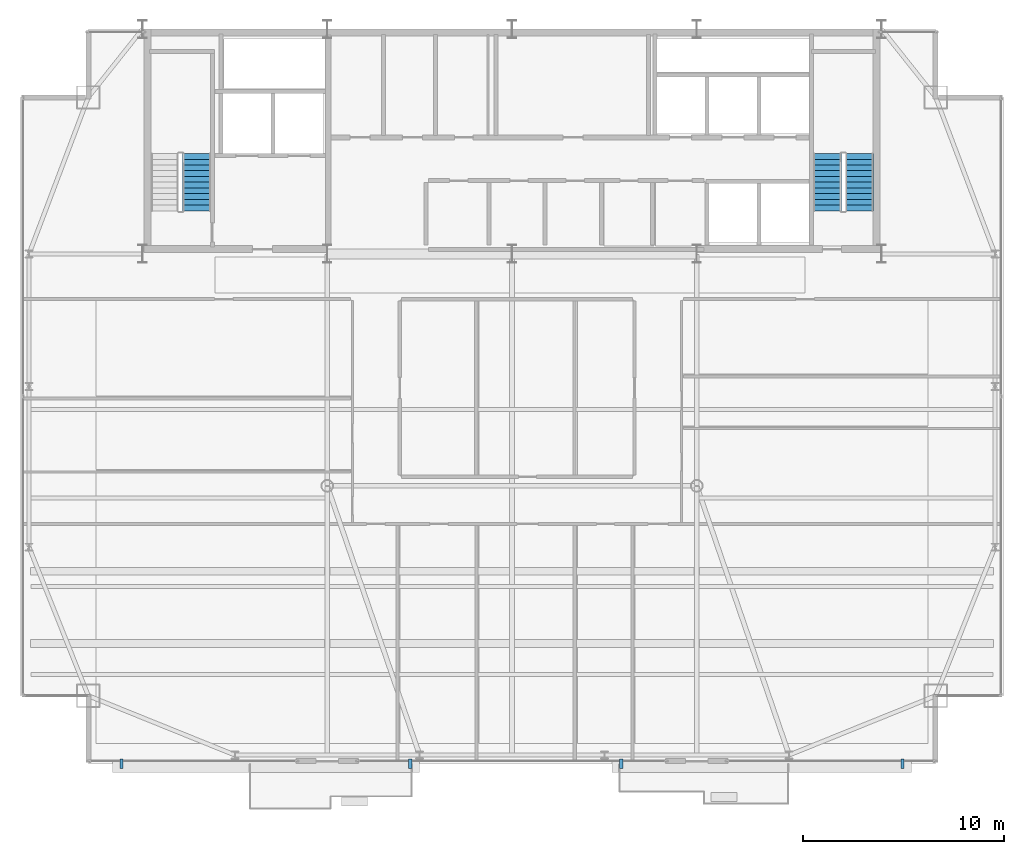
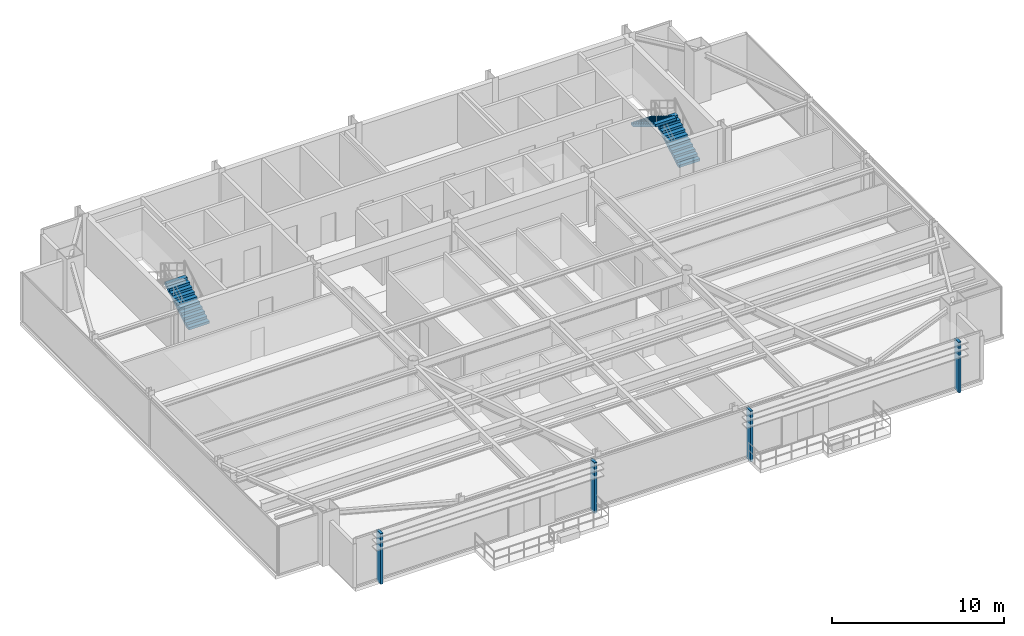
# One storey, part 26 of 28: 4 discrete accessories, 3 stair flights, 2 elements without a shape of their own.
"""IFC4 building model written with IfcOpenShell, lengths in metres."""

from ifc_helpers import new_model, si_unit, direction, frame, origin, origin_2d, place, context, subcontext, project, spatial, polyline, rectangle, outline, extrude, source, transform, mapped, material, layer, layer_set, type_object, type_shapes, element, aggregate, save


model = new_model("IFC4")

# Units and contexts
model_context = context("Model", 3, precision=1e-05, world=origin(), true_north=direction((0.0, 1.0)))
body_context = subcontext(model_context, "Body", "Model", "MODEL_VIEW")
ifc_project = project(units=[si_unit("LENGTHUNIT", "METRE"), si_unit("AREAUNIT", "SQUARE_METRE"), si_unit("VOLUMEUNIT", "CUBIC_METRE"), si_unit("PLANEANGLEUNIT", "RADIAN"), si_unit("MASSUNIT", "GRAM", prefix="KILO")], contexts=[model_context])

# Site, building, storey
site_placement = place(None, origin())
site = spatial("IfcSite", under=ifc_project, at=site_placement, CompositionType="ELEMENT")
building_placement = place(site_placement, origin())
building = spatial("IfcBuilding", under=site, at=building_placement, Name="Varnel Quay Broadcast Tower", CompositionType="ELEMENT")
storey_placement = place(building_placement, frame((0.0, 0.0, 230.199951171875)))
storey = spatial("IfcBuildingStorey", under=building, at=storey_placement, Name="L57", CompositionType="ELEMENT", Elevation=230.199951171875)

# Stair, stair flight
ifc_material_1 = material(Name="Precast Structural Concrete C40/50", Category="concrete")
stair_type_1 = type_object("IfcStairType", Name="Stair_ST-01", PredefinedType="HALF_TURN_STAIR", material=ifc_material_1)
stair_1_placement = place(storey_placement, origin())
stair_1 = element("IfcStair", 1, at=stair_1_placement, inside=storey, type_object=stair_type_1, Name="L57 West Core Exit Stair 1", PredefinedType="HALF_TURN_STAIR")
stair_flight_type_1 = type_object("IfcStairFlightType", Name="Flight_ST-01", PredefinedType="STRAIGHT", material=ifc_material_1)
stair_flight_1_placement = place(storey_placement, frame((18.300048828125, 37.75, 0.0), z_axis=(0.0, 0.0, 1.0), x_axis=(0.0, 1.0, 0.0)))
stair_flight_1 = element("IfcStairFlight", 2, at=stair_flight_1_placement, type_object=stair_flight_type_1, Name="ST-01 flight 1", NumberOfRisers=11, NumberOfTreads=10, PredefinedType="STRAIGHT", RiserHeight=0.172727273, TreadLength=0.285, context=body_context, shape_type="SweptSolid", body=[
    extrude(outline(polyline([(0.0, 0.0), (0.0, 0.172607421875), (0.284912109375, 0.172607421875), (0.284912109375, 0.345458984375), (0.570068359375, 0.345458984375), (0.570068359375, 0.51806640625), (0.85498046875, 0.51806640625), (0.85498046875, 0.69091796875), (1.139892578125, 0.69091796875), (1.139892578125, 0.863525390625), (1.425048828125, 0.863525390625), (1.425048828125, 1.036376953125), (1.7099609375, 1.036376953125), (1.7099609375, 1.208984375), (1.9951171875, 1.208984375), (1.9951171875, 1.3818359375), (2.280029296875, 1.3818359375), (2.280029296875, 1.554443359375), (2.56494140625, 1.554443359375), (2.56494140625, 1.727294921875), (2.85009765625, 1.727294921875), (2.85009765625, 1.89990234375), (2.85009765625, 1.552001953125), (0.289306640625, 0.0), (0.0, 0.0)])), frame((0.0, 0.699951171875, 0.0), z_axis=(0.0, -1.0, 0.0), x_axis=(1.0, 0.0, 0.0)), (0.0, 0.0, 1.0), 1.39990234375),
])
aggregate(stair_1, [stair_flight_1])

# Stair, stair flights
stair_type_2 = type_object("IfcStairType", Name="Stair_ST-02", PredefinedType="HALF_TURN_STAIR", material=ifc_material_1)
stair_2_placement = place(storey_placement, origin())
stair_2 = element("IfcStair", 3, at=stair_2_placement, inside=storey, type_object=stair_type_2, Name="L57 East Core Exit Stair 2", PredefinedType="HALF_TURN_STAIR")
stair_flight_type_2 = type_object("IfcStairFlightType", Name="Flight_ST-02", PredefinedType="STRAIGHT", material=ifc_material_1)
stair_flight_2_placement = place(storey_placement, frame((51.300048828125, 37.75, 0.0), z_axis=(0.0, 0.0, 1.0), x_axis=(0.0, 1.0, 0.0)))
stair_flight_2 = element("IfcStairFlight", 4, at=stair_flight_2_placement, type_object=stair_flight_type_2, Name="ST-02 flight 1", NumberOfRisers=11, NumberOfTreads=10, PredefinedType="STRAIGHT", RiserHeight=0.172727273, TreadLength=0.285, context=body_context, shape_type="SweptSolid", body=[
    extrude(outline(polyline([(0.0, 0.0), (0.0, 0.172607421875), (0.284912109375, 0.172607421875), (0.284912109375, 0.345458984375), (0.570068359375, 0.345458984375), (0.570068359375, 0.51806640625), (0.85498046875, 0.51806640625), (0.85498046875, 0.69091796875), (1.139892578125, 0.69091796875), (1.139892578125, 0.863525390625), (1.425048828125, 0.863525390625), (1.425048828125, 1.036376953125), (1.7099609375, 1.036376953125), (1.7099609375, 1.208984375), (1.9951171875, 1.208984375), (1.9951171875, 1.3818359375), (2.280029296875, 1.3818359375), (2.280029296875, 1.554443359375), (2.56494140625, 1.554443359375), (2.56494140625, 1.727294921875), (2.85009765625, 1.727294921875), (2.85009765625, 1.89990234375), (2.85009765625, 1.552001953125), (0.289306640625, 0.0), (0.0, 0.0)])), frame((0.0, 0.699951171875, 0.0), z_axis=(0.0, -1.0, 0.0), x_axis=(1.0, 0.0, 0.0)), (0.0, 0.0, 1.0), 1.39990234375),
])
stair_flight_3_placement = place(storey_placement, frame((49.699951171875, 40.60009765625, 1.900146484375), z_axis=(0.0, 0.0, 1.0), x_axis=(0.0, -1.0, 0.0)))
stair_flight_3 = element("IfcStairFlight", 5, at=stair_flight_3_placement, type_object=stair_flight_type_2, Name="ST-02 flight 2", NumberOfRisers=11, NumberOfTreads=10, PredefinedType="STRAIGHT", RiserHeight=0.172727273, TreadLength=0.285, context=body_context, shape_type="SweptSolid", body=[
    extrude(outline(polyline([(0.0, 0.0), (0.0, 0.172607421875), (0.284912109375, 0.172607421875), (0.284912109375, 0.345458984375), (0.570068359375, 0.345458984375), (0.570068359375, 0.51806640625), (0.85498046875, 0.51806640625), (0.85498046875, 0.69091796875), (1.139892578125, 0.69091796875), (1.139892578125, 0.863525390625), (1.425048828125, 0.863525390625), (1.425048828125, 1.036376953125), (1.7099609375, 1.036376953125), (1.7099609375, 1.208984375), (1.9951171875, 1.208984375), (1.9951171875, 1.3818359375), (2.280029296875, 1.3818359375), (2.280029296875, 1.554443359375), (2.56494140625, 1.554443359375), (2.56494140625, 1.727294921875), (2.85009765625, 1.727294921875), (2.85009765625, 1.89990234375), (2.85009765625, 1.552001953125), (0.289306640625, 0.0), (0.0, 0.0)])), frame((0.0, 0.699951171875, 0.0), z_axis=(0.0, -1.0, 0.0), x_axis=(1.0, 0.0, 0.0)), (0.0, 0.0, 1.0), 1.39990234375),
])
aggregate(stair_2, [stair_flight_2, stair_flight_3])

# Discrete accessories
ifc_material_2 = material(Name="Anodised Bronze Aluminium 6063-T6", Category="aluminium")
ifc_layer = layer(ifc_material_2, 0.47998046875, Name="Anodised Bronze Aluminium 6063-T6")
ifc_layer_set = layer_set([ifc_layer], Name="Anodised Bronze Aluminium 6063-T6")
discrete_accessory_type = type_object("IfcDiscreteAccessoryType", Name="Acc_FacadeBracket", PredefinedType="BRACKET", material=ifc_layer_set)
shared_shape = source(origin(), body_context, "Body", "SweptSolid", [
    extrude(rectangle(XDim=0.159912109375, YDim=0.47998046875, at=origin_2d()), origin(), (0.0, 0.0, 1.0), 3.610107421875),
])
type_shapes(discrete_accessory_type, [shared_shape])
for number, where, z_axis, x_axis, name in (
    (6, (14.550048828125, 10.219970703125, -0.14990234375), (0.0, 0.0, 1.0), (1.0, 0.0, 0.0), "L57 Lobe 1 Louvre Support Bracket 1"),
    (7, (28.93701171875, 10.219970703125, -0.14990234375), (0.0, 0.0, 1.0), (1.0, 0.0, 0.0), "L57 Lobe 1 Louvre Support Bracket 2"),
    (8, (39.43701171875, 10.219970703125, -0.14990234375), (0.0, 0.0, 1.0), (1.0, 0.0, 0.0), "L57 Lobe 2 Louvre Support Bracket 1"),
    (9, (53.449951171875, 10.219970703125, -0.14990234375), (0.0, 0.0, 1.0), (1.0, 0.0, 0.0), "L57 Lobe 2 Louvre Support Bracket 2"),
):
    element("IfcDiscreteAccessory", number, at=place(storey_placement, frame(where, z_axis=z_axis, x_axis=x_axis)), inside=storey, type_object=discrete_accessory_type, Name=name, PredefinedType="BRACKET", context=body_context, shape_type="MappedRepresentation", body=[
        mapped(shared_shape, transform((0.0, 0.0, 0.0), x_axis=(1.0, 0.0, 0.0), y_axis=(0.0, 1.0, 0.0), z_axis=(0.0, 0.0, 1.0), scale=1.0)),
    ])

save(model, "model.ifc")
